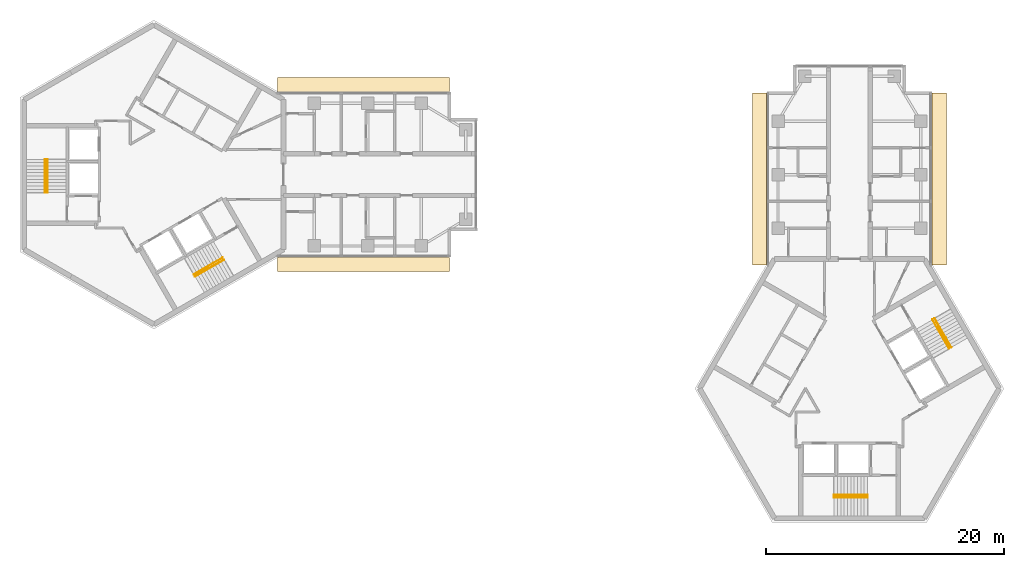
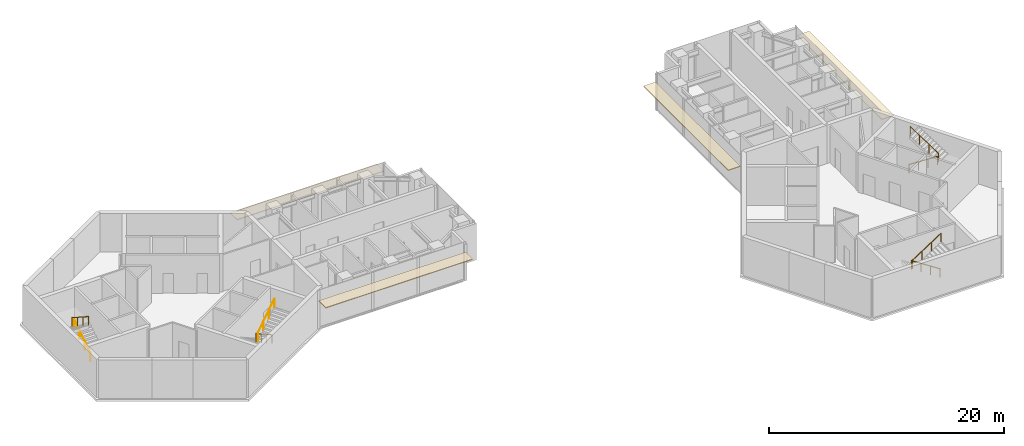
# One storey, part 11 of 11: 8 railings, 4 coverings.
"""IFC4 building model written with IfcOpenShell, lengths in metres."""

import ifcopenshell
import ifcopenshell.guid

model = None  # the IFC model being written
_history = None  # IfcOwnerHistory: only IFC2X3 demands one
_inside = {}  # id of a spatial element -> (the spatial element, [elements in it])
_under = {}  # id of a project, library or spatial element -> (it, [spatial elements below it])
_declared = {}  # id of a project -> (the project, [libraries it declares])
_typed = {}  # id of a type object -> (the type object, [elements of that type])
_made_of = {}  # id of a material, layer set ... -> (it, [elements and type objects made of it])


def new_model(schema):
    """Start an empty IFC model of exactly this schema.

    Asked for "IFC4X3", IfcOpenShell would pick the latest addendum, in which some entities
    have other attributes; the version numbers below select the first issue.
    IFC2X3 requires an IfcOwnerHistory on every rooted entity: one is made here for all.
    """
    global model, _history
    if schema == "IFC4X3":
        model = ifcopenshell.file(schema_version=(4, 3, 0, 0))
    else:
        model = ifcopenshell.file(schema=schema)
    _inside.clear()
    _under.clear()
    _declared.clear()
    _typed.clear()
    _made_of.clear()
    _history = None
    if model.schema == "IFC2X3":
        org = make("IfcOrganization", Name="unknown")
        user = make(
            "IfcPersonAndOrganization",
            ThePerson=make("IfcPerson", FamilyName="unknown"),
            TheOrganization=org,
        )
        app = make(
            "IfcApplication",
            ApplicationDeveloper=org,
            Version="unknown",
            ApplicationFullName="unknown",
            ApplicationIdentifier="unknown",
        )
        _history = make(
            "IfcOwnerHistory",
            OwningUser=user,
            OwningApplication=app,
            ChangeAction="ADDED",
            CreationDate=0,
        )
    return model


def make(cls, **values):
    """One entity of the class cls with the attributes given. An attribute that is None is left unset."""
    return model.create_entity(
        cls, **{name: value for name, value in values.items() if value is not None}
    )


def rooted(cls, **values):
    """An entity with a GlobalId (a new one), such as an element, a storey or a relation."""
    return make(cls, GlobalId=ifcopenshell.guid.new(), OwnerHistory=_history, **values)


def si_unit(unit_type, name, prefix=None):
    """IfcSIUnit, for example si_unit("LENGTHUNIT", "METRE", prefix="MILLI")."""
    return make("IfcSIUnit", UnitType=unit_type, Prefix=prefix, Name=name)


def assignment(units):
    """IfcUnitAssignment: the units of a project."""
    return None if units is None else make("IfcUnitAssignment", Units=units)


def point(xyz):
    """IfcCartesianPoint."""
    return None if xyz is None else make("IfcCartesianPoint", Coordinates=xyz)


def direction(xyz):
    """IfcDirection."""
    return None if xyz is None else make("IfcDirection", DirectionRatios=xyz)


def frame(location, z_axis=None, x_axis=None):
    """IfcAxis2Placement3D, a coordinate frame: its origin and axes. An axis left out is left unset."""
    return make(
        "IfcAxis2Placement3D",
        Location=point(location),
        Axis=direction(z_axis),
        RefDirection=direction(x_axis),
    )


def frame_2d(location, x_axis=None):
    """IfcAxis2Placement2D, a coordinate frame in the plane: its origin and x axis."""
    return make(
        "IfcAxis2Placement2D", Location=point(location), RefDirection=direction(x_axis)
    )


def origin():
    """The frame at (0, 0, 0) with its axes left unset."""
    return frame((0.0, 0.0, 0.0))


def origin_2d():
    """The frame at (0, 0) in the plane with its x axis left unset."""
    return frame_2d((0.0, 0.0))


def place(relative_to, where):
    """IfcLocalPlacement: puts the frame where relative to a parent placement (None: the world)."""
    return make(
        "IfcLocalPlacement", PlacementRelTo=relative_to, RelativePlacement=where
    )


def context(
    kind, dimensions, precision=None, world=None, true_north=None, identifier=None
):
    """IfcGeometricRepresentationContext, for example the 3D "Model" context."""
    return make(
        "IfcGeometricRepresentationContext",
        ContextIdentifier=identifier,
        ContextType=kind,
        CoordinateSpaceDimension=dimensions,
        Precision=precision,
        WorldCoordinateSystem=world,
        TrueNorth=true_north,
    )


def subcontext(parent, identifier, kind, view, scale=None):
    """IfcGeometricRepresentationSubContext, for example "Body" below "Model"."""
    return make(
        "IfcGeometricRepresentationSubContext",
        ContextIdentifier=identifier,
        ContextType=kind,
        ParentContext=parent,
        TargetScale=scale,
        TargetView=view,
    )


def project(units=None, contexts=None):
    """IfcProject with its units and contexts."""
    return rooted(
        "IfcProject",
        Name="project",
        RepresentationContexts=contexts,
        UnitsInContext=assignment(units),
    )


def spatial(cls, under=None, at=None, **own):
    """A site, building, storey or space (cls), placed at a placement, below another one or the project."""
    s = rooted(cls, ObjectPlacement=at, **own)
    if under is not None:
        _under.setdefault(under.id(), (under, []))[1].append(s)
    return s


def profile(cls, at=None, kind="AREA", **sizes):
    """A parametric profile (cls). Its sizes go by their IFC names, for example OverallWidth=200.0."""
    return make(cls, ProfileType=kind, Position=at, **sizes)


def rectangle(**sizes):
    """IfcRectangleProfileDef."""
    return profile("IfcRectangleProfileDef", **sizes)


def circle(**sizes):
    """IfcCircleProfileDef."""
    return profile("IfcCircleProfileDef", **sizes)


def extrude(swept, where, along, depth):
    """IfcExtrudedAreaSolid: the profile swept, set in the frame where, extruded along a direction by depth."""
    return make(
        "IfcExtrudedAreaSolid",
        SweptArea=swept,
        Position=where,
        ExtrudedDirection=direction(along),
        Depth=depth,
    )


def shape(context_of_items, identifier, shape_type, items):
    """IfcShapeRepresentation: the items that make up one representation, for example the "Body"."""
    return make(
        "IfcShapeRepresentation",
        ContextOfItems=context_of_items,
        RepresentationIdentifier=identifier,
        RepresentationType=shape_type,
        Items=items,
    )


def material(Name=None, Category=None):
    """IfcMaterial."""
    return make("IfcMaterial", Name=Name, Category=Category)


def layer(
    of_material, thickness, ventilated=None, Name=None, Category=None, Priority=None
):
    """IfcMaterialLayer: one layer of a wall or slab, of a material (None: an air gap)."""
    return make(
        "IfcMaterialLayer",
        Material=of_material,
        LayerThickness=thickness,
        IsVentilated=ventilated,
        Name=Name,
        Category=Category,
        Priority=Priority,
    )


def layer_set(layers, Name=None):
    """IfcMaterialLayerSet."""
    return make("IfcMaterialLayerSet", MaterialLayers=layers, LayerSetName=Name)


def made_of(thing, what):
    """Note that an element or type object is made of a material, layer set ...; save() writes the relation."""
    if what is not None:
        _made_of.setdefault(what.id(), (what, []))[1].append(thing)
    return thing


def type_object(cls, material=None, **own):
    """A type object (cls), such as IfcWallType, which elements share."""
    return made_of(rooted(cls, **own), material)


def element(
    cls,
    number,
    at=None,
    inside=None,
    cuts=None,
    type_object=None,
    material=None,
    context=None,
    identifier="Body",
    shape_type=None,
    held_by="IfcProductDefinitionShape",
    body=None,
    shapes=None,
    **own,
):
    """One element of the class cls, such as IfcWall. Its Tag is "e" and its number.

    at: its placement. inside: the storey or other place that contains it. cuts: it is an
    opening in that element (IfcRelVoidsElement). A single representation is given by context,
    identifier, shape_type and body (its items); several are given by shapes. held_by: the class
    of the entity that holds the representations. save() writes the other relations.
    """
    e = rooted(cls, Tag="e%d" % number, ObjectPlacement=at, **own)
    if body is not None:
        shapes = [shape(context, identifier, shape_type, body)]
    if shapes is not None:
        e.Representation = make(held_by, Representations=shapes)
    if inside is not None:
        _inside.setdefault(inside.id(), (inside, []))[1].append(e)
    if cuts is not None:
        rooted(
            "IfcRelVoidsElement", RelatingBuildingElement=cuts, RelatedOpeningElement=e
        )
    if type_object is not None:
        _typed.setdefault(type_object.id(), (type_object, []))[1].append(e)
    return made_of(e, material)


def aggregate(whole, parts):
    """IfcRelAggregates: a whole, such as a stair, and the parts it consists of."""
    return rooted("IfcRelAggregates", RelatingObject=whole, RelatedObjects=parts)


def save(model, path):
    """Write the relations noted so far, then the file.

    IfcRelAggregates (storeys below a building ...), IfcRelContainedInSpatialStructure (elements
    in a storey), IfcRelDefinesByType, IfcRelAssociatesMaterial and IfcRelDeclares: one each for
    every whole, place, type object, material and project.
    """
    for whole, parts in _under.values():
        aggregate(whole, parts)
    for where, things in _inside.values():
        rooted(
            "IfcRelContainedInSpatialStructure",
            RelatedElements=things,
            RelatingStructure=where,
        )
    for kind, things in _typed.values():
        rooted("IfcRelDefinesByType", RelatedObjects=things, RelatingType=kind)
    for what, things in _made_of.values():
        rooted("IfcRelAssociatesMaterial", RelatedObjects=things, RelatingMaterial=what)
    for by, libraries in _declared.values():
        rooted("IfcRelDeclares", RelatingContext=by, RelatedDefinitions=libraries)
    model.write(path)


model = new_model("IFC4")

# Units and contexts
model_context = context("Model", 3, precision=1e-05, world=origin(), true_north=direction((0.0, 1.0)))
body_context = subcontext(model_context, "Body", "Model", "MODEL_VIEW")
ifc_project = project(units=[si_unit("LENGTHUNIT", "METRE"), si_unit("AREAUNIT", "SQUARE_METRE"), si_unit("VOLUMEUNIT", "CUBIC_METRE"), si_unit("PLANEANGLEUNIT", "RADIAN"), si_unit("MASSUNIT", "GRAM", prefix="KILO")], contexts=[model_context])

# Site, building, storey
site_placement = place(None, origin())
site = spatial("IfcSite", under=ifc_project, at=site_placement, CompositionType="ELEMENT")
building_placement = place(site_placement, origin())
building = spatial("IfcBuilding", under=site, at=building_placement, Name="Upepo Twin Towers", CompositionType="ELEMENT")
storey_placement = place(building_placement, frame((0.0, 0.0, 263.5)))
storey = spatial("IfcBuildingStorey", under=building, at=storey_placement, Name="L64", CompositionType="ELEMENT", Elevation=263.5)

# Coverings
ifc_material_1 = material(Name="Anodised aluminium, pale silver", Category="aluminium")
ifc_layer = layer(ifc_material_1, 0.080078125)
ifc_layer_set = layer_set([ifc_layer], Name="Brise-soleil blade 1200 pale aluminium")
covering_type = type_object("IfcCoveringType", Name="Brise-soleil blade 1200 pale aluminium", PredefinedType="USERDEFINED", material=ifc_layer_set)
for number, where, z_axis, x_axis, name in (
    (1, (17.61865234375, 7.56494140625, 2.909912109375), (0.0, 0.0, 1.0), (1.0, 0.0, 0.0), "T1 L64 wing A brise-soleil L"),
    (2, (17.61865234375, -7.56494140625, 2.909912109375), (0.0, 0.0, 1.0), (1.0, 0.0, 0.0), "T1 L64 wing A brise-soleil R"),
    (3, (50.93505859375, -0.38134765625, 2.909912109375), (0.0, 0.0, 1.0), (0.0, 1.0, 0.0), "T2 L64 wing A brise-soleil L"),
    (4, (66.06494140625, -0.38134765625, 2.909912109375), (0.0, 0.0, 1.0), (0.0, 1.0, 0.0), "T2 L64 wing A brise-soleil R"),
):
    element("IfcCovering", number, at=place(storey_placement, frame(where, z_axis=z_axis, x_axis=x_axis)), inside=storey, type_object=covering_type, Name=name, ObjectType="SUNSHADE", PredefinedType="USERDEFINED", context=body_context, shape_type="SweptSolid", body=[
        extrude(rectangle(XDim=14.462890625, YDim=1.199951171875, at=origin_2d()), origin(), (0.0, 0.0, 1.0), 0.080078125),
    ])

# Railings
ifc_material_2 = material(Name="Stainless steel", Category="steel")
railing_type = type_object("IfcRailingType", Name="Stair handrail 900", PredefinedType="HANDRAIL", material=ifc_material_2)
railing_1_placement = place(storey_placement, frame((-8.949951171875, -1.52001953125, 0.181884765625)))
element("IfcRailing", 5, at=railing_1_placement, inside=storey, type_object=railing_type, Name="T1 stair S1 L64 handrail 1", PredefinedType="HANDRAIL", context=body_context, shape_type="SweptSolid", body=[
    extrude(circle(Radius=0.02392578125, at=origin_2d()), frame((0.0, 0.0, 0.8759765625), z_axis=(0.0, 0.838705829183, 0.544584733623), x_axis=(-1.0, 0.0, 0.0)), (0.0, 0.0, 1.0), 3.338623046875),
    extrude(circle(Radius=0.02099609375, at=origin_2d()), origin(), (0.0, 0.0, 1.0), 0.851806640625),
    extrude(circle(Radius=0.02099609375, at=origin_2d()), frame((0.0, 0.933349609375, 0.60595703125)), (0.0, 0.0, 1.0), 0.851806640625),
    extrude(circle(Radius=0.02099609375, at=origin_2d()), frame((0.0, 1.86669921875, 1.212158203125)), (0.0, 0.0, 1.0), 0.851806640625),
    extrude(circle(Radius=0.02099609375, at=origin_2d()), frame((0.0, 2.800048828125, 1.818115234375)), (0.0, 0.0, 1.0), 0.851806640625),
])
railing_2_placement = place(storey_placement, frame((-9.158447265625, 1.280029296875, 2.181884765625)))
element("IfcRailing", 6, at=railing_2_placement, inside=storey, type_object=railing_type, Name="T1 stair S1 L64 handrail 2", PredefinedType="HANDRAIL", context=body_context, shape_type="SweptSolid", body=[
    extrude(circle(Radius=0.02392578125, at=origin_2d()), frame((0.0, 0.0, 0.8759765625), z_axis=(0.0, -0.838705829183, 0.544584733623), x_axis=(1.0, 0.0, 0.0)), (0.0, 0.0, 1.0), 3.338623046875),
    extrude(circle(Radius=0.02099609375, at=origin_2d()), origin(), (0.0, 0.0, 1.0), 0.851806640625),
    extrude(circle(Radius=0.02099609375, at=origin_2d()), frame((0.0, -0.933349609375, 0.60595703125)), (0.0, 0.0, 1.0), 0.851806640625),
    extrude(circle(Radius=0.02099609375, at=origin_2d()), frame((0.0, -1.86669921875, 1.212158203125)), (0.0, 0.0, 1.0), 0.851806640625),
    extrude(circle(Radius=0.02099609375, at=origin_2d()), frame((0.0, -2.800048828125, 1.818115234375)), (0.0, 0.0, 1.0), 0.851806640625),
])
railing_3_placement = place(storey_placement, frame((5.791259765625, -6.990966796875, 0.181884765625)))
element("IfcRailing", 7, at=railing_3_placement, inside=storey, type_object=railing_type, Name="T1 stair S2 L64 handrail 1", PredefinedType="HANDRAIL", context=body_context, shape_type="SweptSolid", body=[
    extrude(circle(Radius=0.02392578125, at=origin_2d()), frame((0.0, 0.0, 0.8759765625), z_axis=(-0.726336304947, -0.419332699614, 0.544605966869), x_axis=(0.49998411664, -0.866034573852, 0.0)), (0.0, 0.0, 1.0), 3.33837890625),
    extrude(circle(Radius=0.02099609375, at=origin_2d()), origin(), (0.0, 0.0, 1.0), 0.851806640625),
    extrude(circle(Radius=0.02099609375, at=origin_2d()), frame((-0.808349609375, -0.466552734375, 0.60595703125)), (0.0, 0.0, 1.0), 0.851806640625),
    extrude(circle(Radius=0.02099609375, at=origin_2d()), frame((-1.616455078125, -0.933349609375, 1.212158203125)), (0.0, 0.0, 1.0), 0.851806640625),
    extrude(circle(Radius=0.02099609375, at=origin_2d()), frame((-2.4248046875, -1.39990234375, 1.818115234375)), (0.0, 0.0, 1.0), 0.851806640625),
])
railing_4_placement = place(storey_placement, frame((3.470703125, -8.5712890625, 2.181884765625)))
element("IfcRailing", 8, at=railing_4_placement, inside=storey, type_object=railing_type, Name="T1 stair S2 L64 handrail 2", PredefinedType="HANDRAIL", context=body_context, shape_type="SweptSolid", body=[
    extrude(circle(Radius=0.02392578125, at=origin_2d()), frame((0.0, 0.0, 0.8759765625), z_axis=(0.726336304947, 0.419332699614, 0.544605966869), x_axis=(-0.49998411664, 0.866034573852, 0.0)), (0.0, 0.0, 1.0), 3.33837890625),
    extrude(circle(Radius=0.02099609375, at=origin_2d()), origin(), (0.0, 0.0, 1.0), 0.851806640625),
    extrude(circle(Radius=0.02099609375, at=origin_2d()), frame((0.808349609375, 0.466552734375, 0.60595703125)), (0.0, 0.0, 1.0), 0.851806640625),
    extrude(circle(Radius=0.02099609375, at=origin_2d()), frame((1.616455078125, 0.933349609375, 1.212158203125)), (0.0, 0.0, 1.0), 0.851806640625),
    extrude(circle(Radius=0.02099609375, at=origin_2d()), frame((2.4248046875, 1.39990234375, 1.818115234375)), (0.0, 0.0, 1.0), 0.851806640625),
])
railing_5_placement = place(storey_placement, frame((60.02001953125, -26.949951171875, 0.181884765625)))
element("IfcRailing", 9, at=railing_5_placement, inside=storey, type_object=railing_type, Name="T2 stair S1 L64 handrail 1", PredefinedType="HANDRAIL", context=body_context, shape_type="SweptSolid", body=[
    extrude(circle(Radius=0.02392578125, at=origin_2d()), frame((0.0, 0.0, 0.8759765625), z_axis=(-0.838705829183, 0.0, 0.544584733623), x_axis=(0.0, -1.0, 0.0)), (0.0, 0.0, 1.0), 3.338623046875),
    extrude(circle(Radius=0.02099609375, at=origin_2d()), origin(), (0.0, 0.0, 1.0), 0.851806640625),
    extrude(circle(Radius=0.02099609375, at=origin_2d()), frame((-0.933349609375, 0.0, 0.60595703125)), (0.0, 0.0, 1.0), 0.851806640625),
    extrude(circle(Radius=0.02099609375, at=origin_2d()), frame((-1.86669921875, 0.0, 1.212158203125)), (0.0, 0.0, 1.0), 0.851806640625),
    extrude(circle(Radius=0.02099609375, at=origin_2d()), frame((-2.800048828125, 0.0, 1.818115234375)), (0.0, 0.0, 1.0), 0.851806640625),
])
railing_6_placement = place(storey_placement, frame((57.219970703125, -27.158447265625, 2.181884765625)))
element("IfcRailing", 10, at=railing_6_placement, inside=storey, type_object=railing_type, Name="T2 stair S1 L64 handrail 2", PredefinedType="HANDRAIL", context=body_context, shape_type="SweptSolid", body=[
    extrude(circle(Radius=0.02392578125, at=origin_2d()), frame((0.0, 0.0, 0.8759765625), z_axis=(0.838705829183, 0.0, 0.544584733623), x_axis=(0.0, 1.0, 0.0)), (0.0, 0.0, 1.0), 3.338623046875),
    extrude(circle(Radius=0.02099609375, at=origin_2d()), origin(), (0.0, 0.0, 1.0), 0.851806640625),
    extrude(circle(Radius=0.02099609375, at=origin_2d()), frame((0.933349609375, 0.0, 0.60595703125)), (0.0, 0.0, 1.0), 0.851806640625),
    extrude(circle(Radius=0.02099609375, at=origin_2d()), frame((1.86669921875, 0.0, 1.212158203125)), (0.0, 0.0, 1.0), 0.851806640625),
    extrude(circle(Radius=0.02099609375, at=origin_2d()), frame((2.800048828125, 0.0, 1.818115234375)), (0.0, 0.0, 1.0), 0.851806640625),
])
railing_7_placement = place(storey_placement, frame((65.490966796875, -12.208740234375, 0.181884765625)))
element("IfcRailing", 11, at=railing_7_placement, inside=storey, type_object=railing_type, Name="T2 stair S2 L64 handrail 1", PredefinedType="HANDRAIL", context=body_context, shape_type="SweptSolid", body=[
    extrude(circle(Radius=0.02392578125, at=origin_2d()), frame((0.0, 0.0, 0.8759765625), z_axis=(0.419332699614, -0.726336304947, 0.544605966869), x_axis=(0.866034573852, 0.49998411664, 0.0)), (0.0, 0.0, 1.0), 3.33837890625),
    extrude(circle(Radius=0.02099609375, at=origin_2d()), origin(), (0.0, 0.0, 1.0), 0.851806640625),
    extrude(circle(Radius=0.02099609375, at=origin_2d()), frame((0.466552734375, -0.808349609375, 0.60595703125)), (0.0, 0.0, 1.0), 0.851806640625),
    extrude(circle(Radius=0.02099609375, at=origin_2d()), frame((0.933349609375, -1.616455078125, 1.212158203125)), (0.0, 0.0, 1.0), 0.851806640625),
    extrude(circle(Radius=0.02099609375, at=origin_2d()), frame((1.39990234375, -2.4248046875, 1.818115234375)), (0.0, 0.0, 1.0), 0.851806640625),
])
railing_8_placement = place(storey_placement, frame((67.0712890625, -14.529296875, 2.181884765625)))
element("IfcRailing", 12, at=railing_8_placement, inside=storey, type_object=railing_type, Name="T2 stair S2 L64 handrail 2", PredefinedType="HANDRAIL", context=body_context, shape_type="SweptSolid", body=[
    extrude(circle(Radius=0.02392578125, at=origin_2d()), frame((0.0, 0.0, 0.8759765625), z_axis=(-0.419332699614, 0.726336304947, 0.544605966869), x_axis=(-0.866034573852, -0.49998411664, 0.0)), (0.0, 0.0, 1.0), 3.33837890625),
    extrude(circle(Radius=0.02099609375, at=origin_2d()), origin(), (0.0, 0.0, 1.0), 0.851806640625),
    extrude(circle(Radius=0.02099609375, at=origin_2d()), frame((-0.466552734375, 0.808349609375, 0.60595703125)), (0.0, 0.0, 1.0), 0.851806640625),
    extrude(circle(Radius=0.02099609375, at=origin_2d()), frame((-0.933349609375, 1.616455078125, 1.212158203125)), (0.0, 0.0, 1.0), 0.851806640625),
    extrude(circle(Radius=0.02099609375, at=origin_2d()), frame((-1.39990234375, 2.4248046875, 1.818115234375)), (0.0, 0.0, 1.0), 0.851806640625),
])

save(model, "model.ifc")
